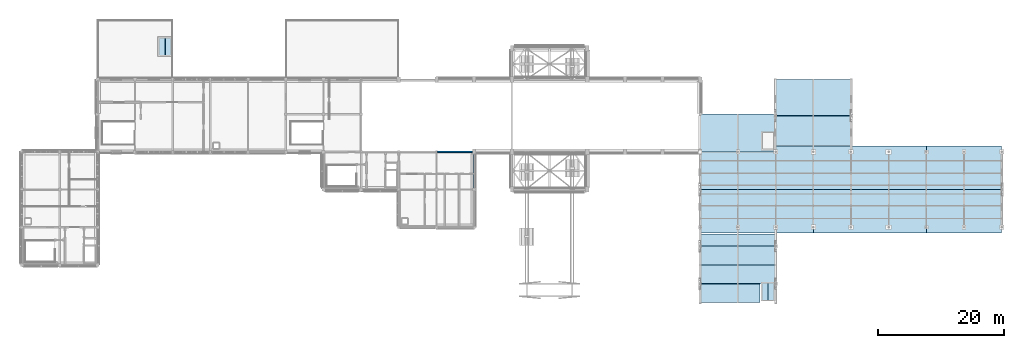
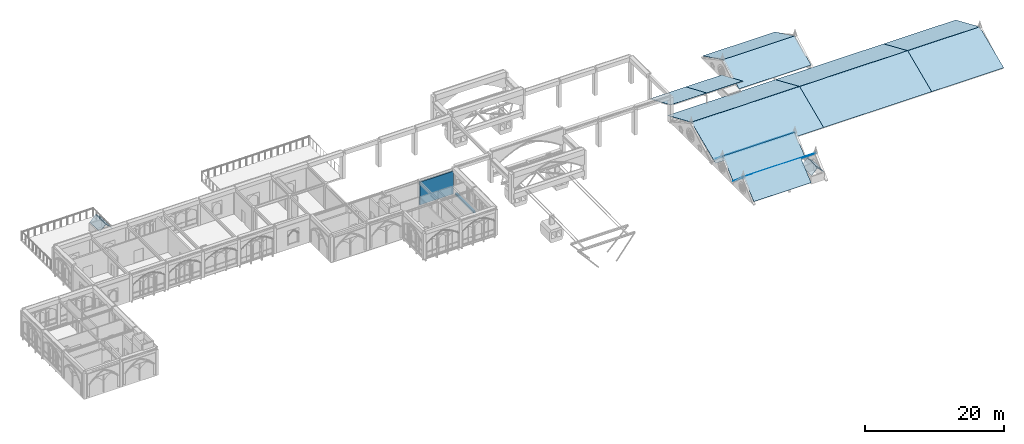
# One storey, part 43 of 59: 18 roofs, 2 walls.
"""IFC4 building model written with IfcOpenShell, lengths in metres."""

from ifc_helpers import new_model, si_unit, direction, frame, frame_2d, origin, place, context, subcontext, project, spatial, polyline, rectangle, outline, extrude, material, layer, layer_set, type_object, element, save


model = new_model("IFC4")

# Units and contexts
model_context = context("Model", 3, precision=1e-05, world=origin(), true_north=direction((0.0, 1.0)))
body_context = subcontext(model_context, "Body", "Model", "MODEL_VIEW")
ifc_project = project(units=[si_unit("LENGTHUNIT", "METRE"), si_unit("AREAUNIT", "SQUARE_METRE"), si_unit("VOLUMEUNIT", "CUBIC_METRE"), si_unit("PLANEANGLEUNIT", "RADIAN"), si_unit("MASSUNIT", "GRAM", prefix="KILO")], contexts=[model_context])

# Site, building, storey
site_placement = place(None, origin())
site = spatial("IfcSite", under=ifc_project, at=site_placement, CompositionType="ELEMENT")
building_placement = place(site_placement, origin())
building = spatial("IfcBuilding", under=site, at=building_placement, Name="Cumevento Cable Car Station", CompositionType="ELEMENT")
storey_placement = place(building_placement, frame((0.0, 0.0, 18.0)))
storey = spatial("IfcBuildingStorey", under=building, at=storey_placement, Name="L05", CompositionType="ELEMENT", Elevation=18.0)

# Walls
ifc_material_1 = material(Name="Gnaisse Facoidal Stone Ashlar 85 MPa", Category="masonry")
ifc_layer_1 = layer(ifc_material_1, 0.294921875)
ifc_layer_set_1 = layer_set([ifc_layer_1], Name="Gnaisse Facoidal Stone Ashlar 85 MPa")
wall_type_1 = type_object("IfcWallType", Name="Exterior Envelope Wall EW-295 295", PredefinedType="SOLIDWALL", material=ifc_layer_set_1)
wall_1_placement = place(storey_placement, frame((82.0, 44.574951171875, 0.0), z_axis=(0.0, 0.0, 1.0), x_axis=(0.0, -1.0, 0.0)))
element("IfcWall", 1, at=wall_1_placement, inside=storey, type_object=wall_type_1, Name="Exterior Sill Curb Wall EW-295 L05 #384", PredefinedType="SOLIDWALL", context=body_context, shape_type="SweptSolid", body=[
    extrude(rectangle(XDim=5.349853515625, YDim=0.294921875, at=frame_2d((2.6748046875, 0.0))), origin(), (0.0, 0.0, 1.0), 0.360107421875),
])
ifc_material_2 = material(Name="Concrete C40/50", Category="concrete")
ifc_layer_2 = layer(ifc_material_2, 0.219970703125)
ifc_layer_set_2 = layer_set([ifc_layer_2], Name="Concrete C40/50")
wall_type_2 = type_object("IfcWallType", Name="Interior Partition FW-220 220", PredefinedType="SOLIDWALL", material=ifc_layer_set_2)
wall_2_placement = place(storey_placement, frame((76.154541015625, 45.0, 0.0), z_axis=(0.0, 0.0, 1.0), x_axis=(1.0, 0.0, 0.0)))
element("IfcWall", 2, at=wall_2_placement, inside=storey, type_object=wall_type_2, Name="Interior Wall FW-220 L05 #726", PredefinedType="SOLIDWALL", context=body_context, shape_type="SweptSolid", body=[
    extrude(rectangle(XDim=5.593505859375, YDim=0.219970703125, at=frame_2d((2.796875, 0.0))), origin(), (0.0, 0.0, 1.0), 4.037109375),
])

# Roofs
ifc_material_3 = material(Name="Standing-Seam Zinc-Titanium Roof Sheet", Category="steel")
roof_type_1 = type_object("IfcRoofType", Name="Gable Roof Ridge Cap RFA-G1", PredefinedType="GABLE_ROOF", material=ifc_material_3)
for number, where, z_axis, x_axis, name in (
    (3, (118.0, 32.050048828125, 0.50048828125), (0.0, -0.39876725136, 0.917052168223), (1.0, 0.0, 0.0), "Gable Sloped Roof Assembly #13"),
    (4, (118.0, 38.985107421875, 3.529052734375), (0.0, 0.39876725136, 0.917052168223), (1.0, 0.0, 0.0), "Gable Sloped Roof Assembly #14"),
    (5, (136.0, 32.050048828125, 0.50048828125), (0.0, -0.39876725136, 0.917052168223), (1.0, 0.0, 0.0), "Gable Sloped Roof Assembly #15"),
    (6, (136.0, 38.985107421875, 3.529052734375), (0.0, 0.39876725136, 0.917052168223), (1.0, 0.0, 0.0), "Gable Sloped Roof Assembly #16"),
):
    element("IfcRoof", number, at=place(storey_placement, frame(where, z_axis=z_axis, x_axis=x_axis)), inside=storey, type_object=roof_type_1, Name=name, PredefinedType="GABLE_ROOF", context=body_context, shape_type="SweptSolid", body=[
        extrude(outline(polyline([(0.0, 0.0), (18.0, 0.0), (18.0, 7.594817384812252), (0.0, 7.594817384812252), (0.0, 0.0)])), origin(), (0.0, 0.0, -1.0), 0.0400390625),
    ])
for number, where, z_axis, x_axis, name in (
    (7, (154.0, 32.050048828125, 0.50048828125), (0.0, -0.39876725136, 0.917052168223), (1.0, 0.0, 0.0), "Gable Sloped Roof Assembly #17"),
    (8, (154.0, 38.985107421875, 3.529052734375), (0.0, 0.39876725136, 0.917052168223), (1.0, 0.0, 0.0), "Gable Sloped Roof Assembly #18"),
):
    element("IfcRoof", number, at=place(storey_placement, frame(where, z_axis=z_axis, x_axis=x_axis)), inside=storey, type_object=roof_type_1, Name=name, PredefinedType="GABLE_ROOF", context=body_context, shape_type="SweptSolid", body=[
        extrude(outline(polyline([(0.0, 0.0), (12.0, 0.0), (12.0, 7.59481738481225), (0.0, 7.59481738481225), (0.0, 0.0)])), origin(), (0.0, 0.0, -1.0), 0.0400390625),
    ])
roof_1_placement = place(storey_placement, frame((118.0, 21.0, 0.44970703125), z_axis=(0.0, -0.647655619635, 0.761933198092), x_axis=(1.0, 0.0, 0.0)))
element("IfcRoof", 9, at=roof_1_placement, inside=storey, type_object=roof_type_1, Name="Gable Sloped Roof Assembly #45", PredefinedType="GABLE_ROOF", context=body_context, shape_type="SweptSolid", body=[
    extrude(outline(polyline([(0.0, 0.0), (9.5400390625, 0.0), (9.5400390625, 3.9373530481557895), (0.0, 3.9373530481557895), (0.0, 0.0)])), origin(), (0.0, 0.0, -1.0), 0.0400390625),
])
roof_2_placement = place(storey_placement, frame((118.0, 24.0, 2.999755859375), z_axis=(0.0, 0.647655619635, 0.761933198092), x_axis=(1.0, 0.0, 0.0)))
element("IfcRoof", 10, at=roof_2_placement, inside=storey, type_object=roof_type_1, Name="Gable Sloped Roof Assembly #46", PredefinedType="GABLE_ROOF", context=body_context, shape_type="SweptSolid", body=[
    extrude(outline(polyline([(0.0, 0.0), (12.0, 0.0), (12.0, 3.9373530481557895), (0.0, 3.9373530481557895), (0.0, 0.0)])), origin(), (0.0, 0.0, -1.0), 0.0400390625),
])
roof_3_placement = place(storey_placement, frame((118.0, 27.0, 0.465576171875), z_axis=(0.0, -0.647619620203, 0.761963796731), x_axis=(1.0, 0.0, 0.0)))
element("IfcRoof", 11, at=roof_3_placement, inside=storey, type_object=roof_type_1, Name="Gable Sloped Roof Assembly #47", PredefinedType="GABLE_ROOF", context=body_context, shape_type="SweptSolid", body=[
    extrude(outline(polyline([(0.0, 0.0), (12.0, 0.0), (12.0, 3.9371949335024006), (0.0, 3.9371949335024006), (0.0, 0.0)])), origin(), (0.0, 0.0, -1.0), 0.0400390625),
])
roof_4_placement = place(storey_placement, frame((118.0, 30.0, 3.015380859375), z_axis=(0.0, 0.647651189239, 0.761936963979), x_axis=(1.0, 0.0, 0.0)))
element("IfcRoof", 12, at=roof_4_placement, inside=storey, type_object=roof_type_1, Name="Gable Sloped Roof Assembly #48", PredefinedType="GABLE_ROOF", context=body_context, shape_type="SweptSolid", body=[
    extrude(outline(polyline([(0.0, 0.0), (12.0, 0.0), (12.0, 2.5592027478131483), (0.0, 2.5592027478131483), (0.0, 0.0)])), origin(), (0.0, 0.0, -1.0), 0.0400390625),
])
roof_5_placement = place(storey_placement, frame((130.0, 46.050048828125, 0.9111328125), z_axis=(0.0, -0.437792306342, 0.89907613499), x_axis=(1.0, 0.0, 0.0)))
element("IfcRoof", 13, at=roof_5_placement, inside=storey, type_object=roof_type_1, Name="Gable Sloped Roof Assembly #51", PredefinedType="GABLE_ROOF", context=body_context, shape_type="SweptSolid", body=[
    extrude(outline(polyline([(0.0, 0.0), (12.0, 0.0), (12.0, 5.227534119710397), (0.0, 5.227534119710397), (0.0, 0.0)])), origin(), (0.0, 0.0, -1.0), 0.0400390625),
])
roof_6_placement = place(storey_placement, frame((130.0, 50.75, 3.19970703125), z_axis=(0.0, 0.437782720884, 0.899080802429), x_axis=(1.0, 0.0, 0.0)))
element("IfcRoof", 14, at=roof_6_placement, inside=storey, type_object=roof_type_1, Name="Gable Sloped Roof Assembly #52", PredefinedType="GABLE_ROOF", context=body_context, shape_type="SweptSolid", body=[
    extrude(outline(polyline([(0.0, 0.0), (12.0, 0.0), (12.0, 6.395420728001167), (0.0, 6.395420728001167), (0.0, 0.0)])), origin(), (0.0, 0.0, -1.0), 0.0400390625),
])
for number, where, z_axis, x_axis, name in (
    (15, (31.760009765625, 63.199951171875, 1.43505859375), (-0.723596918507, 0.0, 0.690222789777), (0.0, -1.0, 0.0), "Lift Headhouse Gothic Gable Cap #4W"),
    (16, (32.7900390625, 63.199951171875, 2.514892578125), (0.723596918507, 0.0, 0.690222789777), (0.0, -1.0, 0.0), "Lift Headhouse Gothic Gable Cap #4E"),
    (17, (127.760009765625, 24.199951171875, 1.43505859375), (-0.723596918507, 0.0, 0.690222789777), (0.0, -1.0, 0.0), "Lift Headhouse Gothic Gable Cap #5W"),
    (18, (128.7900390625, 24.199951171875, 2.514892578125), (0.723596918507, 0.0, 0.690222789777), (0.0, -1.0, 0.0), "Lift Headhouse Gothic Gable Cap #5E"),
):
    element("IfcRoof", number, at=place(storey_placement, frame(where, z_axis=z_axis, x_axis=x_axis)), inside=storey, type_object=roof_type_1, Name=name, PredefinedType="GABLE_ROOF", context=body_context, shape_type="SweptSolid", body=[
        extrude(outline(polyline([(0.0, 0.0), (2.89990234375, 0.0), (2.89990234375, 1.4923142384337136), (0.0, 1.4923142384337136), (0.0, 0.0)])), origin(), (0.0, 0.0, -1.0), 0.044921875),
    ])
ifc_material_4 = material(Name="Standing-Seam Zinc-Titanium Roof Sheet", Category="steel")
roof_type_2 = type_object("IfcRoofType", Name="Monopitch Roof Fascia Cap RFA-S1", PredefinedType="SHED_ROOF", material=ifc_material_4)
for number, where, z_axis, x_axis, name in (
    (19, (118.0, 45.0, 2.928466796875), (0.0, 0.391146984137, 0.920328222321), (1.0, 0.0, 0.0), "Monopitch Sloped Roof Assembly #49"),
    (20, (124.0, 45.0, 2.928466796875), (0.0, 0.391146984137, 0.920328222321), (1.0, 0.0, 0.0), "Monopitch Sloped Roof Assembly #50"),
):
    element("IfcRoof", number, at=place(storey_placement, frame(where, z_axis=z_axis, x_axis=x_axis)), inside=storey, type_object=roof_type_2, Name=name, PredefinedType="SHED_ROOF", context=body_context, shape_type="SweptSolid", body=[
        extrude(outline(polyline([(0.0, 0.0), (6.0, 0.0), (6.0, 6.519413242449176), (0.0, 6.519413242449176), (0.0, 0.0)])), origin(), (0.0, 0.0, -1.0), 0.0400390625),
    ])

save(model, "model.ifc")
